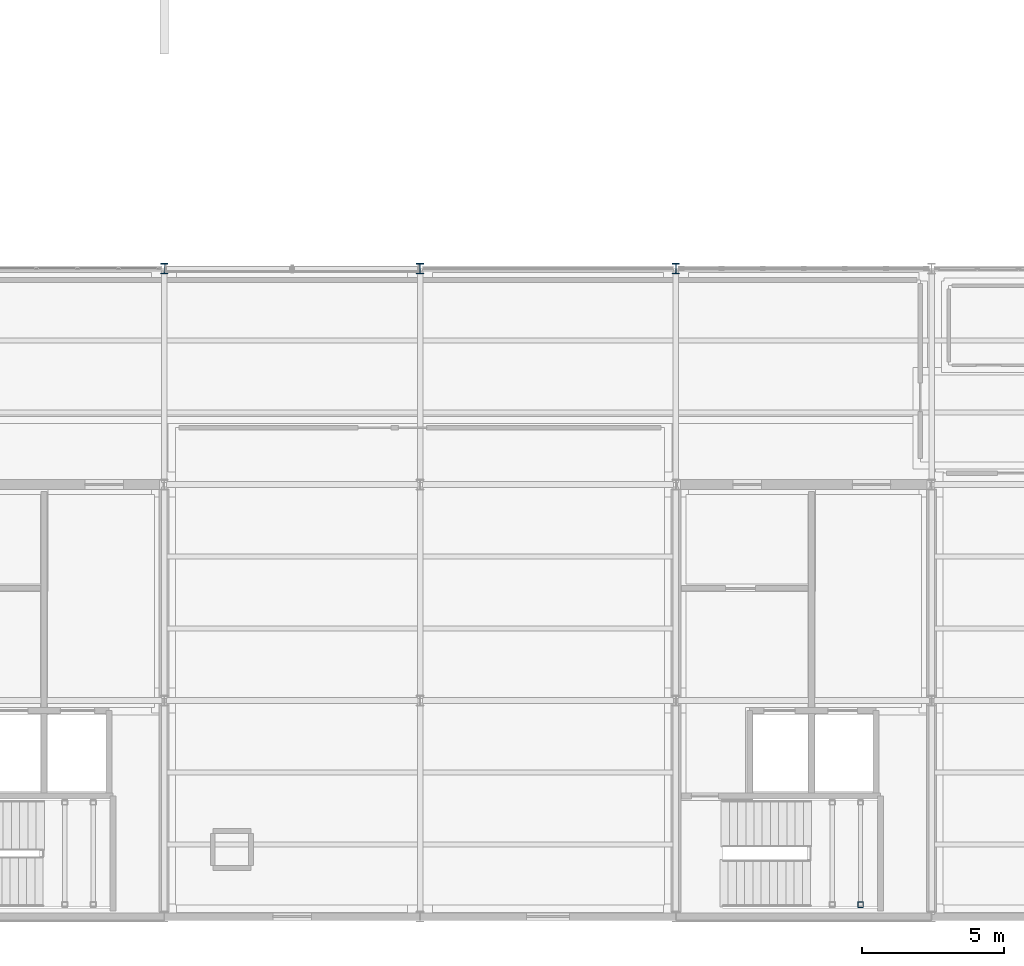
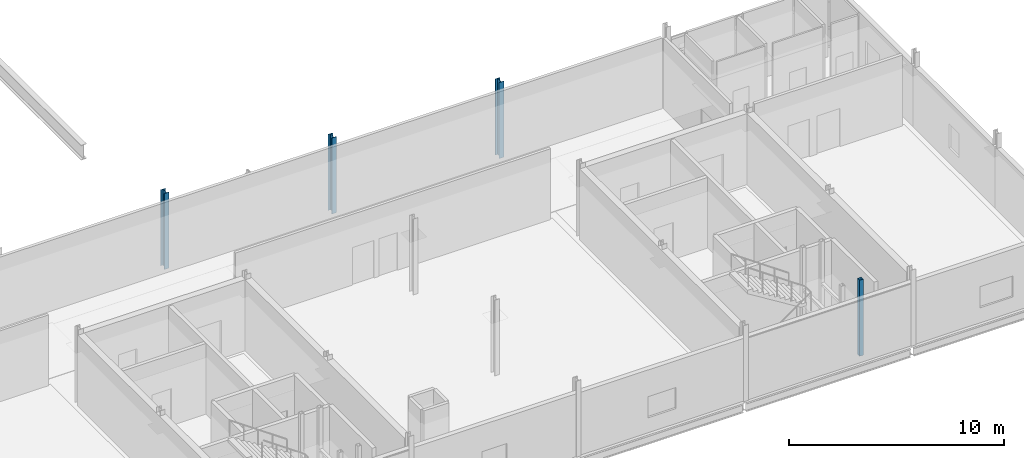
# One storey, part 5 of 96: 4 columns.
"""IFC4 building model written with IfcOpenShell, lengths in metres."""

from ifc_helpers import new_model, si_unit, direction, frame, origin, origin_2d, place, context, subcontext, project, spatial, hollow_rectangle, i_section, extrude, material, material_profile, profile_set, type_object, element, save


model = new_model("IFC4")

# Units and contexts
model_context = context("Model", 3, precision=1e-05, world=origin(), true_north=direction((0.0, 1.0)))
body_context = subcontext(model_context, "Body", "Model", "MODEL_VIEW")
ifc_project = project(units=[si_unit("LENGTHUNIT", "METRE"), si_unit("AREAUNIT", "SQUARE_METRE"), si_unit("VOLUMEUNIT", "CUBIC_METRE"), si_unit("PLANEANGLEUNIT", "RADIAN"), si_unit("MASSUNIT", "GRAM", prefix="KILO")], contexts=[model_context])

# Site, building, storey
site_placement = place(None, origin())
site = spatial("IfcSite", under=ifc_project, at=site_placement, CompositionType="ELEMENT")
building_placement = place(site_placement, origin())
building = spatial("IfcBuilding", under=site, at=building_placement, Name="Caisbarro Railhouse Central Library", CompositionType="ELEMENT")
storey_placement = place(building_placement, frame((0.0, 0.0, 13.679931640625)))
storey = spatial("IfcBuildingStorey", under=building, at=storey_placement, Name="L03", CompositionType="ELEMENT", Elevation=13.679931640625)

# Columns
ifc_material = material(Name="Steel ASTM A572 Grade 50", Category="steel")
ifc_material_profile_1 = material_profile(ifc_material, i_section(OverallWidth=0.257080078125, OverallDepth=0.363037109375, WebThickness=0.012939453125, FlangeThickness=0.021728515625, FilletRadius=0.014892578125, at=origin_2d()), Name="W360X122.0")
ifc_profile_set_1 = profile_set([ifc_material_profile_1], Name="Steel ASTM A572 Grade 50")
column_type_1 = type_object("IfcColumnType", Name="COL-C04", PredefinedType="COLUMN", material=ifc_profile_set_1)
for number, where, z_axis, x_axis, name in (
    (1, (72.0, 22.800048828125, 0.0), (0.0, 0.0, 1.0), (1.0, 0.0, 0.0), "C04 column L03 (72.0,22.8)"),
    (2, (81.0, 22.800048828125, 0.0), (0.0, 0.0, 1.0), (1.0, 0.0, 0.0), "C04 column L03 (81.0,22.8)"),
    (3, (90.0, 22.800048828125, 0.0), (0.0, 0.0, 1.0), (1.0, 0.0, 0.0), "C04 column L03 (90.0,22.8)"),
):
    element("IfcColumn", number, at=place(storey_placement, frame(where, z_axis=z_axis, x_axis=x_axis)), inside=storey, type_object=column_type_1, Name=name, PredefinedType="COLUMN", context=body_context, shape_type="SweptSolid", body=[
        extrude(i_section(OverallWidth=0.257080078125, OverallDepth=0.363037109375, WebThickness=0.012939453125, FlangeThickness=0.021728515625, FilletRadius=0.014892578125, at=origin_2d()), origin(), (0.0, 0.0, 1.0), 4.320068359375),
    ])
ifc_material_profile_2 = material_profile(ifc_material, hollow_rectangle(XDim=0.199951171875, YDim=0.199951171875, WallThickness=0.012451171875, at=origin_2d()), Name="HSS200X200X12.5")
ifc_profile_set_2 = profile_set([ifc_material_profile_2], Name="Steel ASTM A572 Grade 50")
column_type_2 = type_object("IfcColumnType", Name="COL-C10", PredefinedType="COLUMN", material=ifc_profile_set_2)
column_placement = place(storey_placement, frame((96.5, 0.419921875, 0.0), z_axis=(0.0, 0.0, 1.0), x_axis=(1.0, 0.0, 0.0)))
element("IfcColumn", 4, at=column_placement, inside=storey, type_object=column_type_2, Name="C10 Stair Landing Post K2 L03.3", PredefinedType="COLUMN", context=body_context, shape_type="SweptSolid", body=[
    extrude(hollow_rectangle(XDim=0.199951171875, YDim=0.199951171875, WallThickness=0.012451171875, at=origin_2d()), origin(), (0.0, 0.0, 1.0), 4.320068359375),
])

save(model, "model.ifc")
